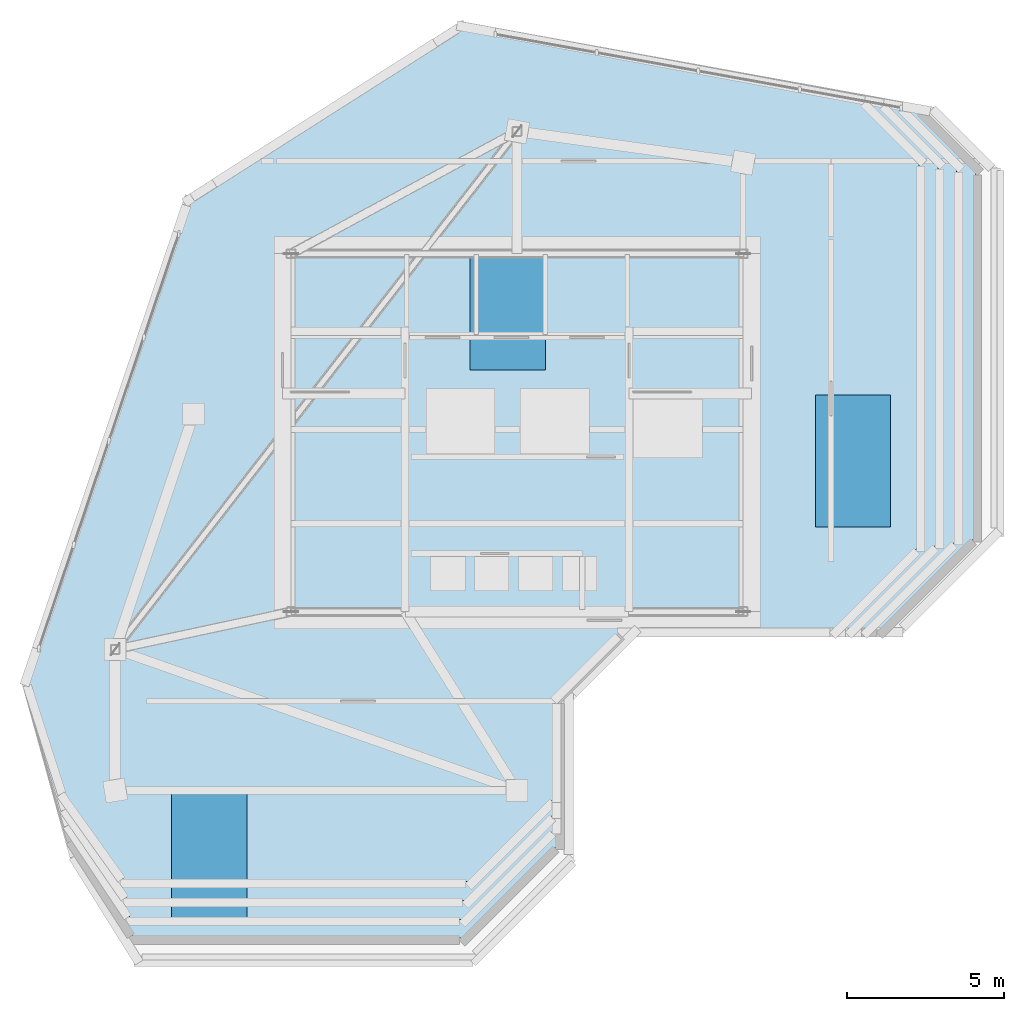
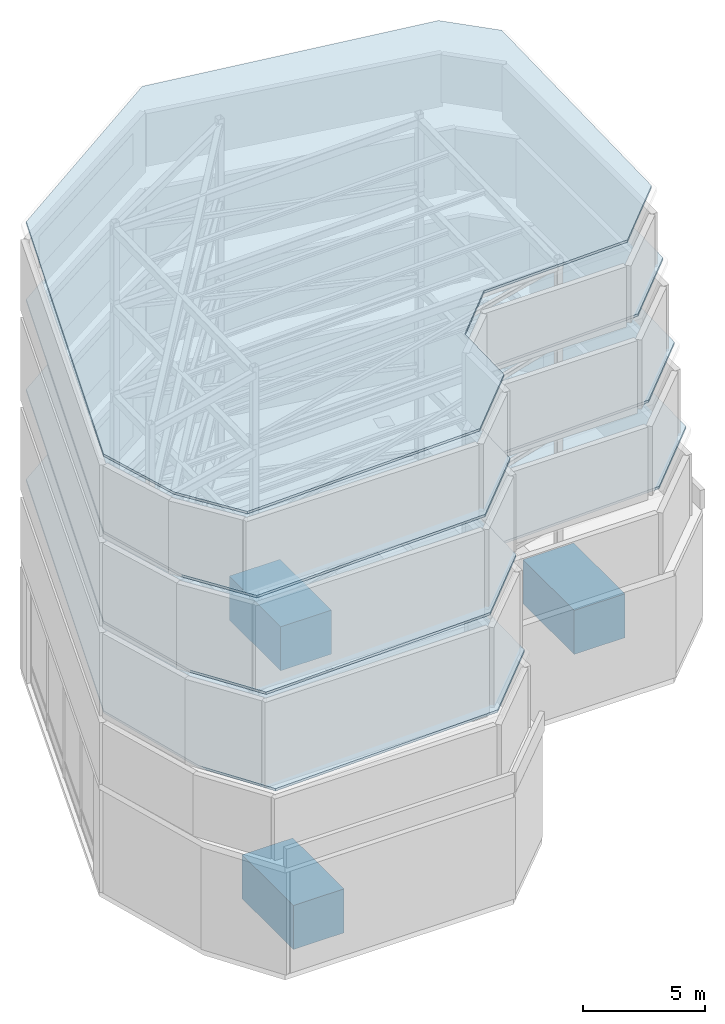
# One storey, part 8 of 9: 4 roofs, 3 discrete accessories.
"""IFC4 building model written with IfcOpenShell, lengths in metres."""

import ifcopenshell
import ifcopenshell.guid

model = None  # the IFC model being written
_history = None  # IfcOwnerHistory: only IFC2X3 demands one
_inside = {}  # id of a spatial element -> (the spatial element, [elements in it])
_under = {}  # id of a project, library or spatial element -> (it, [spatial elements below it])
_declared = {}  # id of a project -> (the project, [libraries it declares])
_typed = {}  # id of a type object -> (the type object, [elements of that type])
_made_of = {}  # id of a material, layer set ... -> (it, [elements and type objects made of it])


def new_model(schema):
    """Start an empty IFC model of exactly this schema.

    Asked for "IFC4X3", IfcOpenShell would pick the latest addendum, in which some entities
    have other attributes; the version numbers below select the first issue.
    IFC2X3 requires an IfcOwnerHistory on every rooted entity: one is made here for all.
    """
    global model, _history
    if schema == "IFC4X3":
        model = ifcopenshell.file(schema_version=(4, 3, 0, 0))
    else:
        model = ifcopenshell.file(schema=schema)
    _inside.clear()
    _under.clear()
    _declared.clear()
    _typed.clear()
    _made_of.clear()
    _history = None
    if model.schema == "IFC2X3":
        org = make("IfcOrganization", Name="unknown")
        user = make(
            "IfcPersonAndOrganization",
            ThePerson=make("IfcPerson", FamilyName="unknown"),
            TheOrganization=org,
        )
        app = make(
            "IfcApplication",
            ApplicationDeveloper=org,
            Version="unknown",
            ApplicationFullName="unknown",
            ApplicationIdentifier="unknown",
        )
        _history = make(
            "IfcOwnerHistory",
            OwningUser=user,
            OwningApplication=app,
            ChangeAction="ADDED",
            CreationDate=0,
        )
    return model


def make(cls, **values):
    """One entity of the class cls with the attributes given. An attribute that is None is left unset."""
    return model.create_entity(
        cls, **{name: value for name, value in values.items() if value is not None}
    )


def rooted(cls, **values):
    """An entity with a GlobalId (a new one), such as an element, a storey or a relation."""
    return make(cls, GlobalId=ifcopenshell.guid.new(), OwnerHistory=_history, **values)


def si_unit(unit_type, name, prefix=None):
    """IfcSIUnit, for example si_unit("LENGTHUNIT", "METRE", prefix="MILLI")."""
    return make("IfcSIUnit", UnitType=unit_type, Prefix=prefix, Name=name)


def assignment(units):
    """IfcUnitAssignment: the units of a project."""
    return None if units is None else make("IfcUnitAssignment", Units=units)


def point(xyz):
    """IfcCartesianPoint."""
    return None if xyz is None else make("IfcCartesianPoint", Coordinates=xyz)


def direction(xyz):
    """IfcDirection."""
    return None if xyz is None else make("IfcDirection", DirectionRatios=xyz)


def frame(location, z_axis=None, x_axis=None):
    """IfcAxis2Placement3D, a coordinate frame: its origin and axes. An axis left out is left unset."""
    return make(
        "IfcAxis2Placement3D",
        Location=point(location),
        Axis=direction(z_axis),
        RefDirection=direction(x_axis),
    )


def frame_2d(location, x_axis=None):
    """IfcAxis2Placement2D, a coordinate frame in the plane: its origin and x axis."""
    return make(
        "IfcAxis2Placement2D", Location=point(location), RefDirection=direction(x_axis)
    )


def origin():
    """The frame at (0, 0, 0) with its axes left unset."""
    return frame((0.0, 0.0, 0.0))


def origin_2d():
    """The frame at (0, 0) in the plane with its x axis left unset."""
    return frame_2d((0.0, 0.0))


def place(relative_to, where):
    """IfcLocalPlacement: puts the frame where relative to a parent placement (None: the world)."""
    return make(
        "IfcLocalPlacement", PlacementRelTo=relative_to, RelativePlacement=where
    )


def context(
    kind, dimensions, precision=None, world=None, true_north=None, identifier=None
):
    """IfcGeometricRepresentationContext, for example the 3D "Model" context."""
    return make(
        "IfcGeometricRepresentationContext",
        ContextIdentifier=identifier,
        ContextType=kind,
        CoordinateSpaceDimension=dimensions,
        Precision=precision,
        WorldCoordinateSystem=world,
        TrueNorth=true_north,
    )


def subcontext(parent, identifier, kind, view, scale=None):
    """IfcGeometricRepresentationSubContext, for example "Body" below "Model"."""
    return make(
        "IfcGeometricRepresentationSubContext",
        ContextIdentifier=identifier,
        ContextType=kind,
        ParentContext=parent,
        TargetScale=scale,
        TargetView=view,
    )


def project(units=None, contexts=None):
    """IfcProject with its units and contexts."""
    return rooted(
        "IfcProject",
        Name="project",
        RepresentationContexts=contexts,
        UnitsInContext=assignment(units),
    )


def spatial(cls, under=None, at=None, **own):
    """A site, building, storey or space (cls), placed at a placement, below another one or the project."""
    s = rooted(cls, ObjectPlacement=at, **own)
    if under is not None:
        _under.setdefault(under.id(), (under, []))[1].append(s)
    return s


def polyline(points):
    """IfcPolyline through the points."""
    return make("IfcPolyline", Points=[point(p) for p in points])


def profile(cls, at=None, kind="AREA", **sizes):
    """A parametric profile (cls). Its sizes go by their IFC names, for example OverallWidth=200.0."""
    return make(cls, ProfileType=kind, Position=at, **sizes)


def rectangle(**sizes):
    """IfcRectangleProfileDef."""
    return profile("IfcRectangleProfileDef", **sizes)


def outline(outer, holes=None, kind="AREA"):
    """IfcArbitraryClosedProfileDef: a profile drawn as a closed curve; with holes, ...WithVoids."""
    if holes is None:
        return make("IfcArbitraryClosedProfileDef", ProfileType=kind, OuterCurve=outer)
    return make(
        "IfcArbitraryProfileDefWithVoids",
        ProfileType=kind,
        OuterCurve=outer,
        InnerCurves=holes,
    )


def extrude(swept, where, along, depth):
    """IfcExtrudedAreaSolid: the profile swept, set in the frame where, extruded along a direction by depth."""
    return make(
        "IfcExtrudedAreaSolid",
        SweptArea=swept,
        Position=where,
        ExtrudedDirection=direction(along),
        Depth=depth,
    )


def shape(context_of_items, identifier, shape_type, items):
    """IfcShapeRepresentation: the items that make up one representation, for example the "Body"."""
    return make(
        "IfcShapeRepresentation",
        ContextOfItems=context_of_items,
        RepresentationIdentifier=identifier,
        RepresentationType=shape_type,
        Items=items,
    )


def source(mapping_origin, context_of_items, identifier, shape_type, items):
    """IfcRepresentationMap: a shape defined once, which mapped items show again and again."""
    return make(
        "IfcRepresentationMap",
        MappingOrigin=mapping_origin,
        MappedRepresentation=shape(context_of_items, identifier, shape_type, items),
    )


def transform(
    local_origin,
    x_axis=None,
    y_axis=None,
    z_axis=None,
    scale=None,
    scale2=None,
    scale3=None,
    uniform=True,
):
    """IfcCartesianTransformationOperator3D, or its non-uniform kind. x_axis, y_axis, z_axis: its Axis1, 2, 3."""
    if uniform:
        return make(
            "IfcCartesianTransformationOperator3D",
            Axis1=direction(x_axis),
            Axis2=direction(y_axis),
            LocalOrigin=point(local_origin),
            Scale=scale,
            Axis3=direction(z_axis),
        )
    return make(
        "IfcCartesianTransformationOperator3DnonUniform",
        Axis1=direction(x_axis),
        Axis2=direction(y_axis),
        LocalOrigin=point(local_origin),
        Scale=scale,
        Axis3=direction(z_axis),
        Scale2=scale2,
        Scale3=scale3,
    )


def mapped(mapping_source, mapping_target):
    """IfcMappedItem: shows the shape of a source again, moved by a transform."""
    return make(
        "IfcMappedItem", MappingSource=mapping_source, MappingTarget=mapping_target
    )


def material(Name=None, Category=None):
    """IfcMaterial."""
    return make("IfcMaterial", Name=Name, Category=Category)


def layer(
    of_material, thickness, ventilated=None, Name=None, Category=None, Priority=None
):
    """IfcMaterialLayer: one layer of a wall or slab, of a material (None: an air gap)."""
    return make(
        "IfcMaterialLayer",
        Material=of_material,
        LayerThickness=thickness,
        IsVentilated=ventilated,
        Name=Name,
        Category=Category,
        Priority=Priority,
    )


def layer_set(layers, Name=None):
    """IfcMaterialLayerSet."""
    return make("IfcMaterialLayerSet", MaterialLayers=layers, LayerSetName=Name)


def made_of(thing, what):
    """Note that an element or type object is made of a material, layer set ...; save() writes the relation."""
    if what is not None:
        _made_of.setdefault(what.id(), (what, []))[1].append(thing)
    return thing


def type_object(cls, material=None, **own):
    """A type object (cls), such as IfcWallType, which elements share."""
    return made_of(rooted(cls, **own), material)


def element(
    cls,
    number,
    at=None,
    inside=None,
    cuts=None,
    type_object=None,
    material=None,
    context=None,
    identifier="Body",
    shape_type=None,
    held_by="IfcProductDefinitionShape",
    body=None,
    shapes=None,
    **own,
):
    """One element of the class cls, such as IfcWall. Its Tag is "e" and its number.

    at: its placement. inside: the storey or other place that contains it. cuts: it is an
    opening in that element (IfcRelVoidsElement). A single representation is given by context,
    identifier, shape_type and body (its items); several are given by shapes. held_by: the class
    of the entity that holds the representations. save() writes the other relations.
    """
    e = rooted(cls, Tag="e%d" % number, ObjectPlacement=at, **own)
    if body is not None:
        shapes = [shape(context, identifier, shape_type, body)]
    if shapes is not None:
        e.Representation = make(held_by, Representations=shapes)
    if inside is not None:
        _inside.setdefault(inside.id(), (inside, []))[1].append(e)
    if cuts is not None:
        rooted(
            "IfcRelVoidsElement", RelatingBuildingElement=cuts, RelatedOpeningElement=e
        )
    if type_object is not None:
        _typed.setdefault(type_object.id(), (type_object, []))[1].append(e)
    return made_of(e, material)


def aggregate(whole, parts):
    """IfcRelAggregates: a whole, such as a stair, and the parts it consists of."""
    return rooted("IfcRelAggregates", RelatingObject=whole, RelatedObjects=parts)


def save(model, path):
    """Write the relations noted so far, then the file.

    IfcRelAggregates (storeys below a building ...), IfcRelContainedInSpatialStructure (elements
    in a storey), IfcRelDefinesByType, IfcRelAssociatesMaterial and IfcRelDeclares: one each for
    every whole, place, type object, material and project.
    """
    for whole, parts in _under.values():
        aggregate(whole, parts)
    for where, things in _inside.values():
        rooted(
            "IfcRelContainedInSpatialStructure",
            RelatedElements=things,
            RelatingStructure=where,
        )
    for kind, things in _typed.values():
        rooted("IfcRelDefinesByType", RelatedObjects=things, RelatingType=kind)
    for what, things in _made_of.values():
        rooted("IfcRelAssociatesMaterial", RelatedObjects=things, RelatingMaterial=what)
    for by, libraries in _declared.values():
        rooted("IfcRelDeclares", RelatingContext=by, RelatedDefinitions=libraries)
    model.write(path)


model = new_model("IFC4")

# Units and contexts
model_context = context("Model", 3, precision=1e-05, world=origin(), true_north=direction((0.0, 1.0)))
body_context = subcontext(model_context, "Body", "Model", "MODEL_VIEW")
ifc_project = project(units=[si_unit("LENGTHUNIT", "METRE"), si_unit("AREAUNIT", "SQUARE_METRE"), si_unit("VOLUMEUNIT", "CUBIC_METRE"), si_unit("PLANEANGLEUNIT", "RADIAN"), si_unit("MASSUNIT", "GRAM", prefix="KILO")], contexts=[model_context])

# Site, building, storey
site_placement = place(None, origin())
site = spatial("IfcSite", under=ifc_project, at=site_placement, CompositionType="ELEMENT")
building_placement = place(site_placement, origin())
building = spatial("IfcBuilding", under=site, at=building_placement, Name="Calvemar Wedge Station Tower", CompositionType="ELEMENT")
storey_placement = place(building_placement, frame((0.0, 0.0, 309.5)))
storey = spatial("IfcBuildingStorey", under=building, at=storey_placement, Name="L79", CompositionType="ELEMENT", Elevation=309.5)

# Roofs
ifc_material = material(Name="Precast concrete C45", Category="concrete")
ifc_layer = layer(ifc_material, 0.1201171875)
ifc_layer_set = layer_set([ifc_layer], Name="Precast concrete C45")
roof_type = type_object("IfcRoofType", Name="ROOF-CROWN-300", PredefinedType="SHED_ROOF", material=ifc_layer_set)
roof_1_placement = place(storey_placement, frame((9.688232421875, 26.783203125, 8.854248046875), z_axis=(-0.025060394836, -0.02505952106, 0.999371801191), x_axis=(0.542148705284, -0.840249316277, -0.007474480282)))
element("IfcRoof", 1, at=roof_1_placement, inside=storey, type_object=roof_type, Name="Stepped Crown Tier 1 Weatherproof Wedge Roof Assembly", PredefinedType="SHED_ROOF", context=body_context, shape_type="SweptSolid", body=[
    extrude(outline(polyline([(0.0, 0.0), (3.55032263339705, 5.141286701926262e-16), (9.24528112593001, 8.834943404437395), (8.355160307519569, 12.960974434727431), (4.4049448445174155, 15.510774687215406), (3.7730161586155515, 18.439410998658865), (8.214954799407698, 25.33046251628054), (7.324701620473508, 29.45628849071619), (-2.4903100850828164, 35.79173004036108), (-5.11301883155433, 35.22581310310938), (-15.161622724971345, 24.494186649666407), (-15.223538903063016, 14.206463260325283), (-5.181510513401608, 1.583973377071935), (0.0, 0.0)])), origin(), (0.0, 0.0, -1.0), 0.1201171875),
])
roof_2_placement = place(storey_placement, frame((9.59130859375, 27.28564453125, 13.3525390625), z_axis=(-0.02556020662, -0.025553188394, 0.999346641762), x_axis=(0.554636929306, -0.832062263775, -0.007089841476)))
element("IfcRoof", 2, at=roof_2_placement, inside=storey, type_object=roof_type, Name="Stepped Crown Tier 2 Weatherproof Wedge Roof Assembly", PredefinedType="SHED_ROOF", context=body_context, shape_type="SweptSolid", body=[
    extrude(outline(polyline([(0.0, 0.0), (3.4681827143085564, -2.6085904270001237e-16), (9.346683963110225, 8.82753940453506), (8.545874997334744, 12.827738593719994), (5.050289373255349, 15.15884589853496), (4.462159395196789, 18.09667148188035), (8.786940365389992, 24.591039559242404), (7.986129668696181, 28.591247400874924), (-1.896153555426311, 35.18146356736801), (-4.527157966158562, 34.65458087263604), (-14.32231254165119, 24.520424532646206), (-14.537834934234555, 14.23452511735997), (-4.686068091499357, 1.4638346743674682), (0.0, 0.0)])), origin(), (0.0, 0.0, -1.0), 0.1201171875),
])
roof_3_placement = place(storey_placement, frame((9.494140625, 27.7880859375, 17.8505859375), z_axis=(-0.026071766744, -0.026074972714, 0.999319948153), x_axis=(0.567725993817, -0.823190585, -0.006667586662)))
element("IfcRoof", 3, at=roof_3_placement, inside=storey, type_object=roof_type, Name="Stepped Crown Tier 3 Weatherproof Wedge Roof Assembly", PredefinedType="SHED_ROOF", context=body_context, shape_type="SweptSolid", body=[
    extrude(outline(polyline([(0.0, 0.0), (3.386930296279784, 1.6924395912498724e-16), (9.516657213240208, 8.896757284389013), (8.804805173009251, 12.7699085988806), (5.758194608902654, 14.872039985358962), (5.216592391150223, 17.818870538516727), (9.359748532734946, 23.832299389033984), (8.64789649250399, 27.70545070352557), (-1.290371014625416, 34.56274396644854), (-3.9295808902516125, 34.07767979436724), (-13.463913920264144, 24.538863188054492), (-13.842113668574608, 14.257735696631764), (-4.1941654075518455, 1.333188095784412), (0.0, 0.0)])), origin(), (0.0, 0.0, -1.0), 0.1201171875),
])
roof_4_placement = place(storey_placement, frame((9.39697265625, 28.290771484375, 21.720703125), z_axis=(-0.026935280039, -0.026938300893, 0.999274145885), x_axis=(0.581219592162, -0.813722605389, -0.006269542682)))
element("IfcRoof", 4, at=roof_4_placement, inside=storey, type_object=roof_type, Name="Stepped Crown Tier 4 Weatherproof Wedge Roof Assembly", PredefinedType="SHED_ROOF", context=body_context, shape_type="SweptSolid", body=[
    extrude(outline(polyline([(0.0, 0.0), (3.306623626616949, -1.947227101783966e-16), (9.697187636015048, 8.956056162633729), (9.072705280410014, 12.701074395146836), (6.468093693493729, 14.562438353848794), (5.975124875944645, 17.517942101074524), (9.926298494958205, 23.055307781105924), (9.301816139353173, 26.800326013619028), (-0.6818673435494587, 33.935089649653115), (-3.3286589100426047, 33.493263279489746), (-12.59212489117393, 24.545445991118676), (-13.139701095104341, 14.271499870906863), (-3.706948641653966, 1.1902424909130367), (0.0, 0.0)])), origin(), (0.0, 0.0, -1.0), 0.1201171875),
])

# Discrete accessories
discrete_accessory_type = type_object("IfcDiscreteAccessoryType", Name="ACC-PLANT-UNIT", PredefinedType="USERDEFINED", material=ifc_material)
shared_shape = source(origin(), body_context, "Body", "SweptSolid", [
    extrude(rectangle(XDim=2.39990234375, YDim=4.199951171875, at=origin_2d()), origin(), (0.0, 0.0, 1.0), 2.199951171875),
])
for number, where, z_axis, x_axis, name in (
    (5, (34.5, 39.0, 0.0), (0.0, 0.0, 1.0), (1.0, 0.0, 0.0), "Crown Tuned Mass Damper Plant Assembly"),
    (6, (14.0, 26.5, 0.0), (0.0, 0.0, 1.0), (1.0, 0.0, 0.0), "Crown Heat-Recovery Air Handling Plant"),
    (7, (23.5, 44.0, 0.0), (0.0, 0.0, 1.0), (1.0, 0.0, 0.0), "High-Rise Lift Overrun Traction Machine Unit"),
):
    element("IfcDiscreteAccessory", number, at=place(storey_placement, frame(where, z_axis=z_axis, x_axis=x_axis)), inside=storey, type_object=discrete_accessory_type, Name=name, ObjectType="PLANT EQUIPMENT", PredefinedType="USERDEFINED", context=body_context, shape_type="MappedRepresentation", body=[
        mapped(shared_shape, transform((0.0, 0.0, 0.0), scale=1.0)),
    ])

save(model, "model.ifc")
